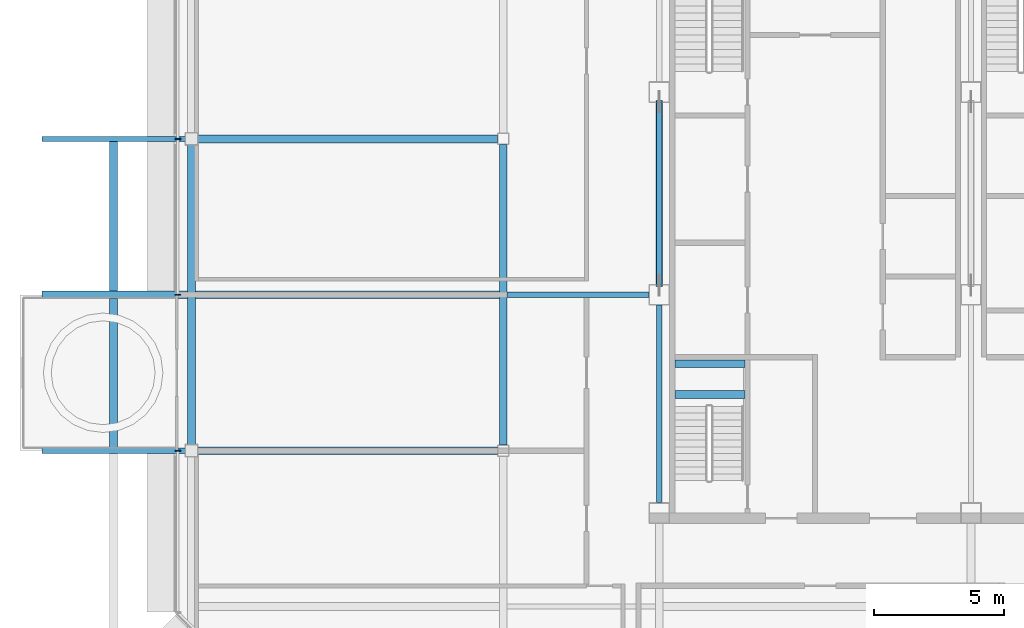
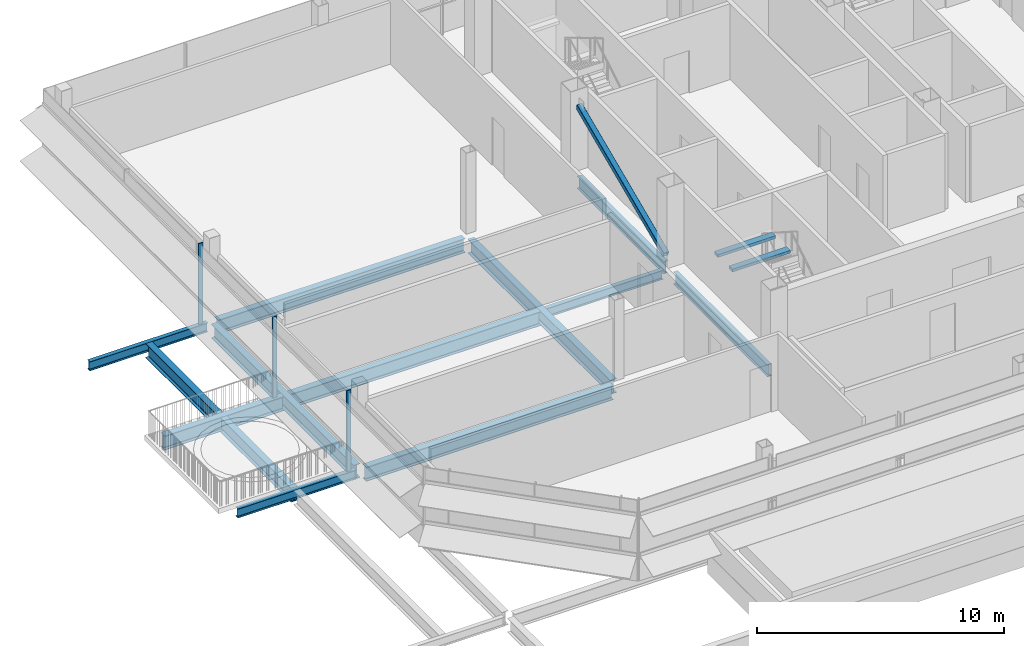
# One storey, part 5 of 26: 14 beams, 4 members, 1 element without a shape of its own.
"""IFC4 building model written with IfcOpenShell, lengths in metres."""

from ifc_helpers import new_model, si_unit, direction, frame, origin, origin_2d, place, context, subcontext, project, spatial, rectangle, hollow_rectangle, i_section, extrude, material, material_profile, profile_set, type_object, element, aggregate, save


model = new_model("IFC4")

# Units and contexts
model_context = context("Model", 3, precision=1e-05, world=origin(), true_north=direction((0.0, 1.0)))
body_context = subcontext(model_context, "Body", "Model", "MODEL_VIEW")
ifc_project = project(units=[si_unit("LENGTHUNIT", "METRE"), si_unit("AREAUNIT", "SQUARE_METRE"), si_unit("VOLUMEUNIT", "CUBIC_METRE"), si_unit("PLANEANGLEUNIT", "RADIAN"), si_unit("MASSUNIT", "GRAM", prefix="KILO")], contexts=[model_context])

# Site, building, storey
site_placement = place(None, origin())
site = spatial("IfcSite", under=ifc_project, at=site_placement, CompositionType="ELEMENT")
building_placement = place(site_placement, origin())
building = spatial("IfcBuilding", under=site, at=building_placement, Name="Sorahane Residences", CompositionType="ELEMENT")
storey_placement = place(building_placement, frame((0.0, 0.0, 337.800048828125)))
storey = spatial("IfcBuildingStorey", under=building, at=storey_placement, Name="L80", CompositionType="ELEMENT", Elevation=337.800048828125)

# Member
ifc_material_1 = material(Name="Steel Q355B", Category="steel")
ifc_material_profile_1 = material_profile(ifc_material_1, hollow_rectangle(XDim=0.25, YDim=0.25, WallThickness=0.011962890625, InnerFilletRadius=0.006103515625, OuterFilletRadius=0.01806640625, at=origin_2d()), Name="RHS 250x250x12")
ifc_profile_set_1 = profile_set([ifc_material_profile_1], Name="Steel Q355B")
member_type_1 = type_object("IfcMemberType", Name="Core brace RHS 250x250x12 Q355B", PredefinedType="BRACE", material=ifc_profile_set_1)
member_1_placement = place(storey_placement, frame((6.0, 30.3701171875, 0.11181640625), z_axis=(0.0, 0.916752232611, 0.399456310506), x_axis=(-1.0, 0.0, 0.0)))
element("IfcMember", 1, at=member_1_placement, inside=storey, type_object=member_type_1, Name="Core brace L80 x6-2", PredefinedType="BRACE", context=body_context, shape_type="SweptSolid", body=[
    extrude(hollow_rectangle(XDim=0.25, YDim=0.25, WallThickness=0.011962890625, InnerFilletRadius=0.006103515625, OuterFilletRadius=0.01806640625, at=origin_2d()), origin(), (0.0, 0.0, 1.0), 7.700927734375),
])

# Curtain wall, members
ifc_material_2 = material(Name="Dark low-e glass and black anodised aluminium", Category="aluminium")
curtain_wall_type = type_object("IfcCurtainWallType", Name="Curtain wall CW-6 Crown unitised wall", PredefinedType="NOTDEFINED", material=ifc_material_2)
curtain_wall_placement = place(storey_placement, origin())
curtain_wall = element("IfcCurtainWall", 2, at=curtain_wall_placement, inside=storey, type_object=curtain_wall_type, Name="CW-6 curtain wall L80 W1", PredefinedType="NOTDEFINED")
ifc_material_3 = material(Name="Black anodised aluminium", Category="aluminium")
ifc_material_profile_2 = material_profile(ifc_material_3, rectangle(XDim=0.199951171875, YDim=0.050048828125, at=origin_2d()), Name="Curtain wall mullion CW-6 black anodised aluminium 50x200")
ifc_profile_set_2 = profile_set([ifc_material_profile_2], Name="Black anodised aluminium")
member_type_2 = type_object("IfcMemberType", Name="Curtain wall mullion CW-6 black anodised aluminium 50x200", PredefinedType="MULLION", material=ifc_profile_set_2)
member_2_placement = place(storey_placement, frame((-12.52001953125, 36.0, -0.25), z_axis=(0.0, 0.0, 1.0), x_axis=(-1.0, 0.0, 0.0)))
member_2 = element("IfcMember", 3, at=member_2_placement, type_object=member_type_2, Name="CW-6 mullion L80 W1.3", PredefinedType="MULLION", context=body_context, shape_type="SweptSolid", body=[
    extrude(rectangle(XDim=0.199951171875, YDim=0.050048828125, at=origin_2d()), origin(), (0.0, 0.0, 1.0), 4.0),
])
member_3_placement = place(storey_placement, frame((-12.52001953125, 30.0, -0.25), z_axis=(0.0, 0.0, 1.0), x_axis=(-1.0, 0.0, 0.0)))
member_3 = element("IfcMember", 4, at=member_3_placement, type_object=member_type_2, Name="CW-6 mullion L80 W1.4", PredefinedType="MULLION", context=body_context, shape_type="SweptSolid", body=[
    extrude(rectangle(XDim=0.199951171875, YDim=0.050048828125, at=origin_2d()), origin(), (0.0, 0.0, 1.0), 4.0),
])
member_4_placement = place(storey_placement, frame((-12.52001953125, 24.0, -0.25), z_axis=(0.0, 0.0, 1.0), x_axis=(-1.0, 0.0, 0.0)))
member_4 = element("IfcMember", 5, at=member_4_placement, type_object=member_type_2, Name="CW-6 mullion L80 W1.5", PredefinedType="MULLION", context=body_context, shape_type="SweptSolid", body=[
    extrude(rectangle(XDim=0.199951171875, YDim=0.050048828125, at=origin_2d()), origin(), (0.0, 0.0, 1.0), 4.0),
])
aggregate(curtain_wall, [member_2, member_3, member_4])

# Beams
ifc_material_4 = material(Name="Concrete C40", Category="concrete")
ifc_material_profile_3 = material_profile(ifc_material_4, rectangle(XDim=0.300048828125, YDim=0.139892578125, at=origin_2d()), Name="300x140")
ifc_profile_set_3 = profile_set([ifc_material_profile_3], Name="Concrete C40")
beam_type_1 = type_object("IfcBeamType", Name="RC landing beam 300 x 140 Concrete C40", PredefinedType="BEAM", material=ifc_profile_set_3)
for number, where, z_axis, x_axis, name in (
    (6, (6.60009765625, 26.159912109375, 1.72998046875), (1.0, 0.0, 0.0), (0.0, 1.0, 0.0), "Landing beam"),
    (7, (6.60009765625, 27.35009765625, 1.72998046875), (1.0, 0.0, 0.0), (0.0, 1.0, 0.0), "Landing beam"),
):
    element("IfcBeam", number, at=place(storey_placement, frame(where, z_axis=z_axis, x_axis=x_axis)), inside=storey, type_object=beam_type_1, Name=name, PredefinedType="BEAM", context=body_context, shape_type="SweptSolid", body=[
        extrude(rectangle(XDim=0.300048828125, YDim=0.139892578125, at=origin_2d()), origin(), (0.0, 0.0, 1.0), 2.699951171875),
    ])
ifc_material_5 = material(Name="Steel Q355B", Category="steel")
ifc_material_profile_4 = material_profile(ifc_material_5, i_section(OverallWidth=0.199951171875, OverallDepth=0.449951171875, WebThickness=0.009033203125, FlangeThickness=0.013916015625, FilletRadius=0.02001953125, at=origin_2d()), Name="HN 450x200x9x14")
ifc_profile_set_4 = profile_set([ifc_material_profile_4], Name="Steel Q355B")
beam_type_2 = type_object("IfcBeamType", Name="Steel floor beam HN 450x200x9x14 Q355B", PredefinedType="BEAM", material=ifc_profile_set_4)
for number, where, z_axis, x_axis, name in (
    (8, (-17.75, 24.0, -0.47509765625), (1.0, 0.0, 0.0), (0.0, 1.0, 0.0), "Beam L80 006"),
    (9, (-17.75, 36.0, -0.47509765625), (1.0, 0.0, 0.0), (0.0, 1.0, 0.0), "Beam L80 008"),
):
    element("IfcBeam", number, at=place(storey_placement, frame(where, z_axis=z_axis, x_axis=x_axis)), inside=storey, type_object=beam_type_2, Name=name, PredefinedType="BEAM", context=body_context, shape_type="SweptSolid", body=[
        extrude(i_section(OverallWidth=0.199951171875, OverallDepth=0.449951171875, WebThickness=0.009033203125, FlangeThickness=0.013916015625, FilletRadius=0.02001953125, at=origin_2d()), origin(), (0.0, 0.0, 1.0), 5.52490234375),
    ])
beam_1_placement = place(storey_placement, frame((0.14990234375, 30.0, -0.47509765625), z_axis=(1.0, 0.0, 0.0), x_axis=(0.0, 1.0, 0.0)))
element("IfcBeam", 10, at=beam_1_placement, inside=storey, type_object=beam_type_2, Name="Beam L80 063", PredefinedType="BEAM", context=body_context, shape_type="SweptSolid", body=[
    extrude(i_section(OverallWidth=0.199951171875, OverallDepth=0.449951171875, WebThickness=0.009033203125, FlangeThickness=0.013916015625, FilletRadius=0.02001953125, at=origin_2d()), origin(), (0.0, 0.0, 1.0), 5.4501953125),
])
ifc_material_6 = material(Name="Steel Q355B", Category="steel")
ifc_material_profile_5 = material_profile(ifc_material_6, i_section(OverallWidth=0.199951171875, OverallDepth=0.60009765625, WebThickness=0.010986328125, FlangeThickness=0.01708984375, FilletRadius=0.02392578125, at=origin_2d()), Name="HN 600x200x11x17")
ifc_profile_set_5 = profile_set([ifc_material_profile_5], Name="Steel Q355B")
beam_type_3 = type_object("IfcBeamType", Name="Steel floor beam HN 600x200x11x17 Q355B", PredefinedType="BEAM", material=ifc_profile_set_5)
beam_2_placement = place(storey_placement, frame((6.0, 22.0, -0.550048828125), z_axis=(0.0, 1.0, 0.0), x_axis=(-1.0, 0.0, 0.0)))
element("IfcBeam", 11, at=beam_2_placement, inside=storey, type_object=beam_type_3, Name="Beam L80 023", PredefinedType="BEAM", context=body_context, shape_type="SweptSolid", body=[
    extrude(i_section(OverallWidth=0.199951171875, OverallDepth=0.60009765625, WebThickness=0.010986328125, FlangeThickness=0.01708984375, FilletRadius=0.02392578125, at=origin_2d()), origin(), (0.0, 0.0, 1.0), 7.60009765625),
])
beam_3_placement = place(storey_placement, frame((6.0, 30.39990234375, -0.550048828125), z_axis=(0.0, 1.0, 0.0), x_axis=(-1.0, 0.0, 0.0)))
element("IfcBeam", 12, at=beam_3_placement, inside=storey, type_object=beam_type_3, Name="Beam L80 024", PredefinedType="BEAM", context=body_context, shape_type="SweptSolid", body=[
    extrude(i_section(OverallWidth=0.199951171875, OverallDepth=0.60009765625, WebThickness=0.010986328125, FlangeThickness=0.01708984375, FilletRadius=0.02392578125, at=origin_2d()), origin(), (0.0, 0.0, 1.0), 7.0),
])
ifc_material_7 = material(Name="Steel Q355B", Category="steel")
ifc_material_profile_6 = material_profile(ifc_material_7, i_section(OverallWidth=0.300048828125, OverallDepth=0.699951171875, WebThickness=0.012939453125, FlangeThickness=0.02392578125, FilletRadius=0.028076171875, at=origin_2d()), Name="HN 700x300x13x24")
ifc_profile_set_6 = profile_set([ifc_material_profile_6], Name="Steel Q355B")
beam_type_4 = type_object("IfcBeamType", Name="Steel floor beam HN 700x300x13x24 Q355B", PredefinedType="BEAM", material=ifc_profile_set_6)
for number, where, z_axis, x_axis, name in (
    (13, (-11.77490234375, 24.0, -0.60009765625), (1.0, 0.0, 0.0), (0.0, 1.0, 0.0), "Beam L80 007"),
    (14, (-11.77490234375, 36.0, -0.60009765625), (1.0, 0.0, 0.0), (0.0, 1.0, 0.0), "Beam L80 009"),
    (15, (-12.0, 24.22509765625, -0.60009765625), (0.0, 1.0, 0.0), (-1.0, 0.0, 0.0), "Beam L80 015"),
    (16, (0.0, 24.22509765625, -0.60009765625), (0.0, 1.0, 0.0), (-1.0, 0.0, 0.0), "Beam L80 019"),
):
    element("IfcBeam", number, at=place(storey_placement, frame(where, z_axis=z_axis, x_axis=x_axis)), inside=storey, type_object=beam_type_4, Name=name, PredefinedType="BEAM", context=body_context, shape_type="SweptSolid", body=[
        extrude(i_section(OverallWidth=0.300048828125, OverallDepth=0.699951171875, WebThickness=0.012939453125, FlangeThickness=0.02392578125, FilletRadius=0.028076171875, at=origin_2d()), origin(), (0.0, 0.0, 1.0), 11.5498046875),
    ])
beam_4_placement = place(storey_placement, frame((-11.85009765625, 30.0, -0.60009765625), z_axis=(1.0, 0.0, 0.0), x_axis=(0.0, 1.0, 0.0)))
element("IfcBeam", 17, at=beam_4_placement, inside=storey, type_object=beam_type_4, Name="Beam L80 062", PredefinedType="BEAM", context=body_context, shape_type="SweptSolid", body=[
    extrude(i_section(OverallWidth=0.300048828125, OverallDepth=0.699951171875, WebThickness=0.012939453125, FlangeThickness=0.02392578125, FilletRadius=0.028076171875, at=origin_2d()), origin(), (0.0, 0.0, 1.0), 11.7001953125),
])
beam_5_placement = place(storey_placement, frame((-15.0, 24.10009765625, -0.60009765625), z_axis=(0.0, 1.0, 0.0), x_axis=(-1.0, 0.0, 0.0)))
element("IfcBeam", 18, at=beam_5_placement, inside=storey, type_object=beam_type_4, Name="Beam L80 068", PredefinedType="BEAM", context=body_context, shape_type="SweptSolid", body=[
    extrude(i_section(OverallWidth=0.300048828125, OverallDepth=0.699951171875, WebThickness=0.012939453125, FlangeThickness=0.02392578125, FilletRadius=0.028076171875, at=origin_2d()), origin(), (0.0, 0.0, 1.0), 11.7998046875),
])
beam_6_placement = place(storey_placement, frame((-17.75, 30.0, -0.60009765625), z_axis=(1.0, 0.0, 0.0), x_axis=(0.0, 1.0, 0.0)))
element("IfcBeam", 19, at=beam_6_placement, inside=storey, type_object=beam_type_4, Name="Deck tip beam", PredefinedType="BEAM", context=body_context, shape_type="SweptSolid", body=[
    extrude(i_section(OverallWidth=0.300048828125, OverallDepth=0.699951171875, WebThickness=0.012939453125, FlangeThickness=0.02392578125, FilletRadius=0.028076171875, at=origin_2d()), origin(), (0.0, 0.0, 1.0), 5.60009765625),
])

save(model, "model.ifc")
